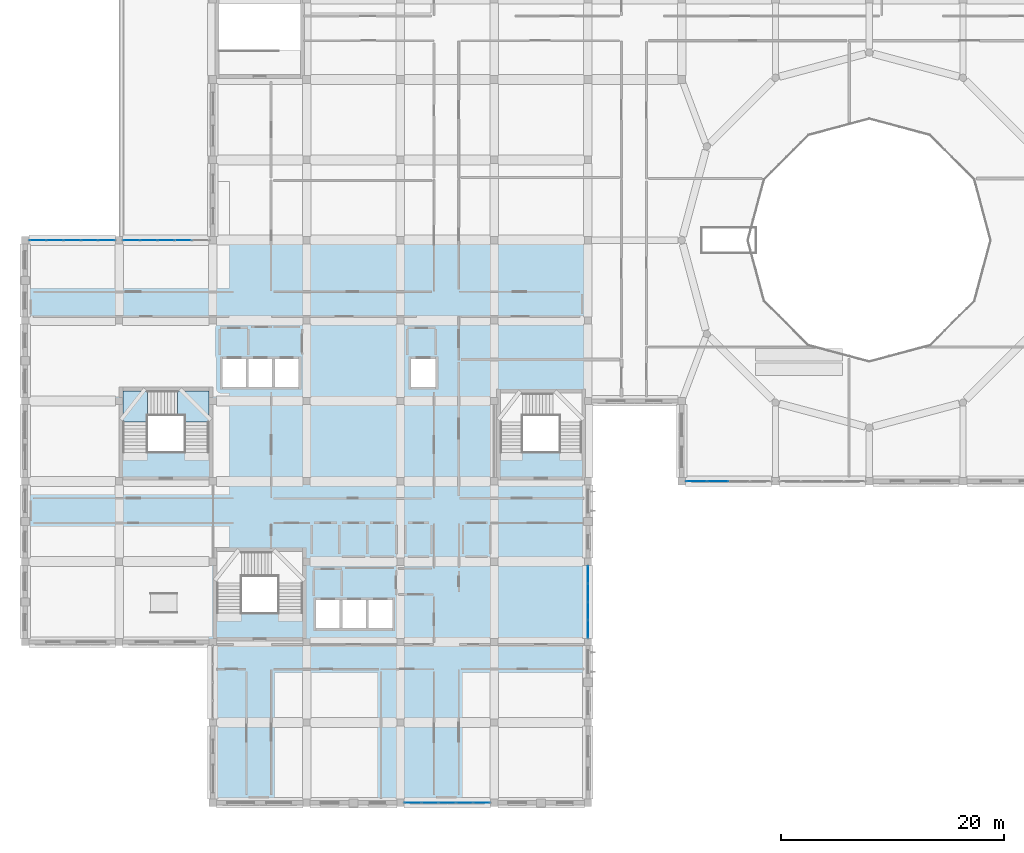
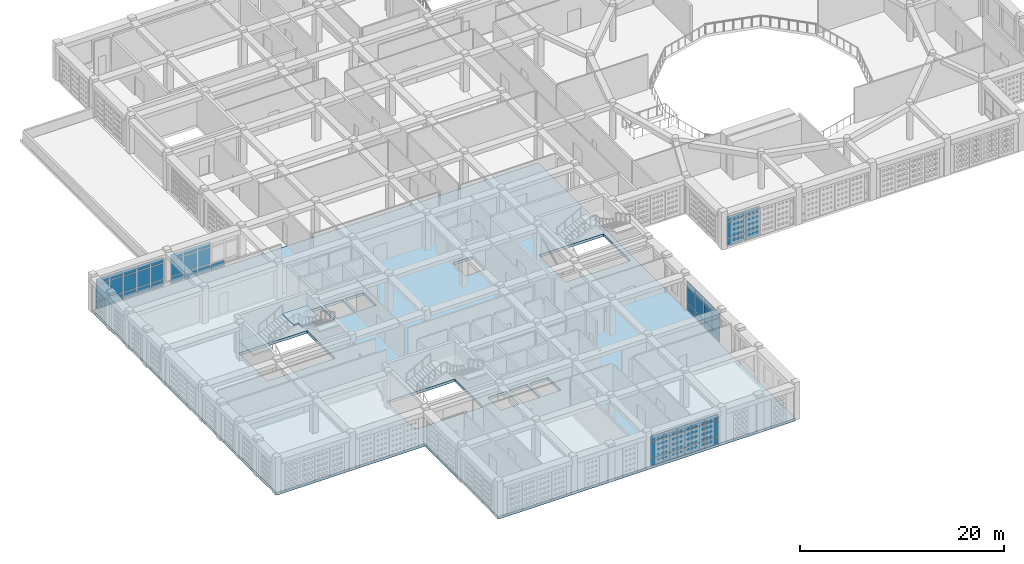
# One storey, part 31 of 79: 58 plates, 3 slabs, 6 elements without a shape of their own.
"""IFC4 building model written with IfcOpenShell, lengths in metres."""

import ifcopenshell
import ifcopenshell.guid

model = None  # the IFC model being written
_history = None  # IfcOwnerHistory: only IFC2X3 demands one
_inside = {}  # id of a spatial element -> (the spatial element, [elements in it])
_under = {}  # id of a project, library or spatial element -> (it, [spatial elements below it])
_declared = {}  # id of a project -> (the project, [libraries it declares])
_typed = {}  # id of a type object -> (the type object, [elements of that type])
_made_of = {}  # id of a material, layer set ... -> (it, [elements and type objects made of it])


def new_model(schema):
    """Start an empty IFC model of exactly this schema.

    Asked for "IFC4X3", IfcOpenShell would pick the latest addendum, in which some entities
    have other attributes; the version numbers below select the first issue.
    IFC2X3 requires an IfcOwnerHistory on every rooted entity: one is made here for all.
    """
    global model, _history
    if schema == "IFC4X3":
        model = ifcopenshell.file(schema_version=(4, 3, 0, 0))
    else:
        model = ifcopenshell.file(schema=schema)
    _inside.clear()
    _under.clear()
    _declared.clear()
    _typed.clear()
    _made_of.clear()
    _history = None
    if model.schema == "IFC2X3":
        org = make("IfcOrganization", Name="unknown")
        user = make(
            "IfcPersonAndOrganization",
            ThePerson=make("IfcPerson", FamilyName="unknown"),
            TheOrganization=org,
        )
        app = make(
            "IfcApplication",
            ApplicationDeveloper=org,
            Version="unknown",
            ApplicationFullName="unknown",
            ApplicationIdentifier="unknown",
        )
        _history = make(
            "IfcOwnerHistory",
            OwningUser=user,
            OwningApplication=app,
            ChangeAction="ADDED",
            CreationDate=0,
        )
    return model


def make(cls, **values):
    """One entity of the class cls with the attributes given. An attribute that is None is left unset."""
    return model.create_entity(
        cls, **{name: value for name, value in values.items() if value is not None}
    )


def rooted(cls, **values):
    """An entity with a GlobalId (a new one), such as an element, a storey or a relation."""
    return make(cls, GlobalId=ifcopenshell.guid.new(), OwnerHistory=_history, **values)


def si_unit(unit_type, name, prefix=None):
    """IfcSIUnit, for example si_unit("LENGTHUNIT", "METRE", prefix="MILLI")."""
    return make("IfcSIUnit", UnitType=unit_type, Prefix=prefix, Name=name)


def derived_unit(unit_type, elements):
    """IfcDerivedUnit: a product of units, each with its exponent."""
    return make(
        "IfcDerivedUnit",
        Elements=[
            make("IfcDerivedUnitElement", Unit=unit, Exponent=power)
            for unit, power in elements
        ],
        UnitType=unit_type,
    )


def assignment(units):
    """IfcUnitAssignment: the units of a project."""
    return None if units is None else make("IfcUnitAssignment", Units=units)


def point(xyz):
    """IfcCartesianPoint."""
    return None if xyz is None else make("IfcCartesianPoint", Coordinates=xyz)


def direction(xyz):
    """IfcDirection."""
    return None if xyz is None else make("IfcDirection", DirectionRatios=xyz)


def frame(location, z_axis=None, x_axis=None):
    """IfcAxis2Placement3D, a coordinate frame: its origin and axes. An axis left out is left unset."""
    return make(
        "IfcAxis2Placement3D",
        Location=point(location),
        Axis=direction(z_axis),
        RefDirection=direction(x_axis),
    )


def frame_2d(location, x_axis=None):
    """IfcAxis2Placement2D, a coordinate frame in the plane: its origin and x axis."""
    return make(
        "IfcAxis2Placement2D", Location=point(location), RefDirection=direction(x_axis)
    )


def origin():
    """The frame at (0, 0, 0) with its axes left unset."""
    return frame((0.0, 0.0, 0.0))


def origin_2d():
    """The frame at (0, 0) in the plane with its x axis left unset."""
    return frame_2d((0.0, 0.0))


def place(relative_to, where):
    """IfcLocalPlacement: puts the frame where relative to a parent placement (None: the world)."""
    return make(
        "IfcLocalPlacement", PlacementRelTo=relative_to, RelativePlacement=where
    )


def context(
    kind, dimensions, precision=None, world=None, true_north=None, identifier=None
):
    """IfcGeometricRepresentationContext, for example the 3D "Model" context."""
    return make(
        "IfcGeometricRepresentationContext",
        ContextIdentifier=identifier,
        ContextType=kind,
        CoordinateSpaceDimension=dimensions,
        Precision=precision,
        WorldCoordinateSystem=world,
        TrueNorth=true_north,
    )


def subcontext(parent, identifier, kind, view, scale=None):
    """IfcGeometricRepresentationSubContext, for example "Body" below "Model"."""
    return make(
        "IfcGeometricRepresentationSubContext",
        ContextIdentifier=identifier,
        ContextType=kind,
        ParentContext=parent,
        TargetScale=scale,
        TargetView=view,
    )


def project(units=None, contexts=None):
    """IfcProject with its units and contexts."""
    return rooted(
        "IfcProject",
        Name="project",
        RepresentationContexts=contexts,
        UnitsInContext=assignment(units),
    )


def spatial(cls, under=None, at=None, **own):
    """A site, building, storey or space (cls), placed at a placement, below another one or the project."""
    s = rooted(cls, ObjectPlacement=at, **own)
    if under is not None:
        _under.setdefault(under.id(), (under, []))[1].append(s)
    return s


def polyline(points):
    """IfcPolyline through the points."""
    return make("IfcPolyline", Points=[point(p) for p in points])


def profile(cls, at=None, kind="AREA", **sizes):
    """A parametric profile (cls). Its sizes go by their IFC names, for example OverallWidth=200.0."""
    return make(cls, ProfileType=kind, Position=at, **sizes)


def rectangle(**sizes):
    """IfcRectangleProfileDef."""
    return profile("IfcRectangleProfileDef", **sizes)


def outline(outer, holes=None, kind="AREA"):
    """IfcArbitraryClosedProfileDef: a profile drawn as a closed curve; with holes, ...WithVoids."""
    if holes is None:
        return make("IfcArbitraryClosedProfileDef", ProfileType=kind, OuterCurve=outer)
    return make(
        "IfcArbitraryProfileDefWithVoids",
        ProfileType=kind,
        OuterCurve=outer,
        InnerCurves=holes,
    )


def extrude(swept, where, along, depth):
    """IfcExtrudedAreaSolid: the profile swept, set in the frame where, extruded along a direction by depth."""
    return make(
        "IfcExtrudedAreaSolid",
        SweptArea=swept,
        Position=where,
        ExtrudedDirection=direction(along),
        Depth=depth,
    )


def shape(context_of_items, identifier, shape_type, items):
    """IfcShapeRepresentation: the items that make up one representation, for example the "Body"."""
    return make(
        "IfcShapeRepresentation",
        ContextOfItems=context_of_items,
        RepresentationIdentifier=identifier,
        RepresentationType=shape_type,
        Items=items,
    )


def material(Name=None, Category=None):
    """IfcMaterial."""
    return make("IfcMaterial", Name=Name, Category=Category)


def layer(
    of_material, thickness, ventilated=None, Name=None, Category=None, Priority=None
):
    """IfcMaterialLayer: one layer of a wall or slab, of a material (None: an air gap)."""
    return make(
        "IfcMaterialLayer",
        Material=of_material,
        LayerThickness=thickness,
        IsVentilated=ventilated,
        Name=Name,
        Category=Category,
        Priority=Priority,
    )


def layer_set(layers, Name=None):
    """IfcMaterialLayerSet."""
    return make("IfcMaterialLayerSet", MaterialLayers=layers, LayerSetName=Name)


def made_of(thing, what):
    """Note that an element or type object is made of a material, layer set ...; save() writes the relation."""
    if what is not None:
        _made_of.setdefault(what.id(), (what, []))[1].append(thing)
    return thing


def type_object(cls, material=None, **own):
    """A type object (cls), such as IfcWallType, which elements share."""
    return made_of(rooted(cls, **own), material)


def element(
    cls,
    number,
    at=None,
    inside=None,
    cuts=None,
    type_object=None,
    material=None,
    context=None,
    identifier="Body",
    shape_type=None,
    held_by="IfcProductDefinitionShape",
    body=None,
    shapes=None,
    **own,
):
    """One element of the class cls, such as IfcWall. Its Tag is "e" and its number.

    at: its placement. inside: the storey or other place that contains it. cuts: it is an
    opening in that element (IfcRelVoidsElement). A single representation is given by context,
    identifier, shape_type and body (its items); several are given by shapes. held_by: the class
    of the entity that holds the representations. save() writes the other relations.
    """
    e = rooted(cls, Tag="e%d" % number, ObjectPlacement=at, **own)
    if body is not None:
        shapes = [shape(context, identifier, shape_type, body)]
    if shapes is not None:
        e.Representation = make(held_by, Representations=shapes)
    if inside is not None:
        _inside.setdefault(inside.id(), (inside, []))[1].append(e)
    if cuts is not None:
        rooted(
            "IfcRelVoidsElement", RelatingBuildingElement=cuts, RelatedOpeningElement=e
        )
    if type_object is not None:
        _typed.setdefault(type_object.id(), (type_object, []))[1].append(e)
    return made_of(e, material)


def aggregate(whole, parts):
    """IfcRelAggregates: a whole, such as a stair, and the parts it consists of."""
    return rooted("IfcRelAggregates", RelatingObject=whole, RelatedObjects=parts)


def save(model, path):
    """Write the relations noted so far, then the file.

    IfcRelAggregates (storeys below a building ...), IfcRelContainedInSpatialStructure (elements
    in a storey), IfcRelDefinesByType, IfcRelAssociatesMaterial and IfcRelDeclares: one each for
    every whole, place, type object, material and project.
    """
    for whole, parts in _under.values():
        aggregate(whole, parts)
    for where, things in _inside.values():
        rooted(
            "IfcRelContainedInSpatialStructure",
            RelatedElements=things,
            RelatingStructure=where,
        )
    for kind, things in _typed.values():
        rooted("IfcRelDefinesByType", RelatedObjects=things, RelatingType=kind)
    for what, things in _made_of.values():
        rooted("IfcRelAssociatesMaterial", RelatedObjects=things, RelatingMaterial=what)
    for by, libraries in _declared.values():
        rooted("IfcRelDeclares", RelatingContext=by, RelatedDefinitions=libraries)
    model.write(path)


model = new_model("IFC4")

# Units and contexts
model_context = context("Model", 3, precision=1e-05, world=origin(), true_north=direction((0.0, 1.0)))
body_context = subcontext(model_context, "Body", "Model", "MODEL_VIEW")
ifc_project = project(units=[si_unit("LENGTHUNIT", "METRE"), si_unit("AREAUNIT", "SQUARE_METRE"), si_unit("VOLUMEUNIT", "CUBIC_METRE"), si_unit("PLANEANGLEUNIT", "RADIAN"), si_unit("MASSUNIT", "GRAM", prefix="KILO"), derived_unit("THERMALTRANSMITTANCEUNIT", [(si_unit("POWERUNIT", "WATT"), 1), (si_unit("LENGTHUNIT", "METRE"), -2), (si_unit("THERMODYNAMICTEMPERATUREUNIT", "KELVIN"), -1)])], contexts=[model_context])

# Site, building, storey
site_placement = place(None, origin())
site = spatial("IfcSite", under=ifc_project, at=site_placement, CompositionType="ELEMENT")
building_placement = place(site_placement, origin())
building = spatial("IfcBuilding", under=site, at=building_placement, Name="Veybourne Emporium", CompositionType="ELEMENT")
storey_placement = place(building_placement, frame((0.0, 0.0, 18.89990234375)))
storey = spatial("IfcBuildingStorey", under=building, at=storey_placement, Name="L04", CompositionType="ELEMENT", Elevation=18.89990234375)

# Curtain wall, plates
ifc_material_1 = material(Name="Patinated Architectural Bronze", Category="bronze")
curtain_wall_type_1 = type_object("IfcCurtainWallType", Name="CWSystem_CWS-24", PredefinedType="NOTDEFINED", material=ifc_material_1)
curtain_wall_1_placement = place(storey_placement, origin())
curtain_wall_1 = element("IfcCurtainWall", 1, at=curtain_wall_1_placement, inside=storey, type_object=curtain_wall_type_1, Name="L04 bronze glazed curtain wall CWS-24 (006)", PredefinedType="NOTDEFINED")
ifc_material_2 = material(Name="Low-E Triple Glazing", Category="glass")
ifc_layer_1 = layer(ifc_material_2, 0.028076171875)
ifc_layer_set_1 = layer_set([ifc_layer_1], Name="Low-E Triple Glazing")
plate_type = type_object("IfcPlateType", Name="CWPanel_CW-P1", PredefinedType="CURTAIN_PANEL", material=ifc_layer_set_1)
plate_1_placement = place(storey_placement, frame((1.117431640625, 50.39990234375, 0.070068359375), z_axis=(0.0, 0.0, 1.0), x_axis=(1.0, 0.0, 0.0)))
plate_1 = element("IfcPlate", 2, at=plate_1_placement, type_object=plate_type, Name="CWS-24 panel 1.1", PredefinedType="CURTAIN_PANEL", context=body_context, shape_type="SweptSolid", body=[
    extrude(rectangle(XDim=1.445068359375, YDim=0.028076171875, at=origin_2d()), origin(), (0.0, 0.0, 1.0), 0.794921875),
])
plate_2_placement = place(storey_placement, frame((1.117431640625, 50.39990234375, 0.93505859375), z_axis=(0.0, 0.0, 1.0), x_axis=(1.0, 0.0, 0.0)))
plate_2 = element("IfcPlate", 3, at=plate_2_placement, type_object=plate_type, Name="CWS-24 panel 1.2", PredefinedType="CURTAIN_PANEL", context=body_context, shape_type="SweptSolid", body=[
    extrude(rectangle(XDim=1.445068359375, YDim=0.028076171875, at=origin_2d()), origin(), (0.0, 0.0, 1.0), 1.909912109375),
])
plate_3_placement = place(storey_placement, frame((1.117431640625, 50.39990234375, 2.9150390625), z_axis=(0.0, 0.0, 1.0), x_axis=(1.0, 0.0, 0.0)))
plate_3 = element("IfcPlate", 4, at=plate_3_placement, type_object=plate_type, Name="CWS-24 panel 1.3", PredefinedType="CURTAIN_PANEL", context=body_context, shape_type="SweptSolid", body=[
    extrude(rectangle(XDim=1.445068359375, YDim=0.028076171875, at=origin_2d()), origin(), (0.0, 0.0, 1.0), 0.64501953125),
])
plate_4_placement = place(storey_placement, frame((2.64990234375, 50.39990234375, 0.070068359375), z_axis=(0.0, 0.0, 1.0), x_axis=(1.0, 0.0, 0.0)))
plate_4 = element("IfcPlate", 5, at=plate_4_placement, type_object=plate_type, Name="CWS-24 panel 2.1", PredefinedType="CURTAIN_PANEL", context=body_context, shape_type="SweptSolid", body=[
    extrude(rectangle(XDim=1.47998046875, YDim=0.028076171875, at=origin_2d()), origin(), (0.0, 0.0, 1.0), 0.794921875),
])
plate_5_placement = place(storey_placement, frame((2.64990234375, 50.39990234375, 0.93505859375), z_axis=(0.0, 0.0, 1.0), x_axis=(1.0, 0.0, 0.0)))
plate_5 = element("IfcPlate", 6, at=plate_5_placement, type_object=plate_type, Name="CWS-24 panel 2.2", PredefinedType="CURTAIN_PANEL", context=body_context, shape_type="SweptSolid", body=[
    extrude(rectangle(XDim=1.47998046875, YDim=0.028076171875, at=origin_2d()), origin(), (0.0, 0.0, 1.0), 1.909912109375),
])
plate_6_placement = place(storey_placement, frame((2.64990234375, 50.39990234375, 2.9150390625), z_axis=(0.0, 0.0, 1.0), x_axis=(1.0, 0.0, 0.0)))
plate_6 = element("IfcPlate", 7, at=plate_6_placement, type_object=plate_type, Name="CWS-24 panel 2.3", PredefinedType="CURTAIN_PANEL", context=body_context, shape_type="SweptSolid", body=[
    extrude(rectangle(XDim=1.47998046875, YDim=0.028076171875, at=origin_2d()), origin(), (0.0, 0.0, 1.0), 0.64501953125),
])
plate_7_placement = place(storey_placement, frame((4.199951171875, 50.39990234375, 0.070068359375), z_axis=(0.0, 0.0, 1.0), x_axis=(1.0, 0.0, 0.0)))
plate_7 = element("IfcPlate", 8, at=plate_7_placement, type_object=plate_type, Name="CWS-24 panel 3.1", PredefinedType="CURTAIN_PANEL", context=body_context, shape_type="SweptSolid", body=[
    extrude(rectangle(XDim=1.47998046875, YDim=0.028076171875, at=origin_2d()), origin(), (0.0, 0.0, 1.0), 0.794921875),
])
plate_8_placement = place(storey_placement, frame((4.199951171875, 50.39990234375, 0.93505859375), z_axis=(0.0, 0.0, 1.0), x_axis=(1.0, 0.0, 0.0)))
plate_8 = element("IfcPlate", 9, at=plate_8_placement, type_object=plate_type, Name="CWS-24 panel 3.2", PredefinedType="CURTAIN_PANEL", context=body_context, shape_type="SweptSolid", body=[
    extrude(rectangle(XDim=1.47998046875, YDim=0.028076171875, at=origin_2d()), origin(), (0.0, 0.0, 1.0), 1.909912109375),
])
plate_9_placement = place(storey_placement, frame((4.199951171875, 50.39990234375, 2.9150390625), z_axis=(0.0, 0.0, 1.0), x_axis=(1.0, 0.0, 0.0)))
plate_9 = element("IfcPlate", 10, at=plate_9_placement, type_object=plate_type, Name="CWS-24 panel 3.3", PredefinedType="CURTAIN_PANEL", context=body_context, shape_type="SweptSolid", body=[
    extrude(rectangle(XDim=1.47998046875, YDim=0.028076171875, at=origin_2d()), origin(), (0.0, 0.0, 1.0), 0.64501953125),
])
plate_10_placement = place(storey_placement, frame((5.75, 50.39990234375, 0.070068359375), z_axis=(0.0, 0.0, 1.0), x_axis=(1.0, 0.0, 0.0)))
plate_10 = element("IfcPlate", 11, at=plate_10_placement, type_object=plate_type, Name="CWS-24 panel 4.1", PredefinedType="CURTAIN_PANEL", context=body_context, shape_type="SweptSolid", body=[
    extrude(rectangle(XDim=1.47998046875, YDim=0.028076171875, at=origin_2d()), origin(), (0.0, 0.0, 1.0), 0.794921875),
])
plate_11_placement = place(storey_placement, frame((5.75, 50.39990234375, 0.93505859375), z_axis=(0.0, 0.0, 1.0), x_axis=(1.0, 0.0, 0.0)))
plate_11 = element("IfcPlate", 12, at=plate_11_placement, type_object=plate_type, Name="CWS-24 panel 4.2", PredefinedType="CURTAIN_PANEL", context=body_context, shape_type="SweptSolid", body=[
    extrude(rectangle(XDim=1.47998046875, YDim=0.028076171875, at=origin_2d()), origin(), (0.0, 0.0, 1.0), 1.909912109375),
])
plate_12_placement = place(storey_placement, frame((5.75, 50.39990234375, 2.9150390625), z_axis=(0.0, 0.0, 1.0), x_axis=(1.0, 0.0, 0.0)))
plate_12 = element("IfcPlate", 13, at=plate_12_placement, type_object=plate_type, Name="CWS-24 panel 4.3", PredefinedType="CURTAIN_PANEL", context=body_context, shape_type="SweptSolid", body=[
    extrude(rectangle(XDim=1.47998046875, YDim=0.028076171875, at=origin_2d()), origin(), (0.0, 0.0, 1.0), 0.64501953125),
])
plate_13_placement = place(storey_placement, frame((7.282470703125, 50.39990234375, 0.070068359375), z_axis=(0.0, 0.0, 1.0), x_axis=(1.0, 0.0, 0.0)))
plate_13 = element("IfcPlate", 14, at=plate_13_placement, type_object=plate_type, Name="CWS-24 panel 5.1", PredefinedType="CURTAIN_PANEL", context=body_context, shape_type="SweptSolid", body=[
    extrude(rectangle(XDim=1.445068359375, YDim=0.028076171875, at=origin_2d()), origin(), (0.0, 0.0, 1.0), 0.794921875),
])
plate_14_placement = place(storey_placement, frame((7.282470703125, 50.39990234375, 0.93505859375), z_axis=(0.0, 0.0, 1.0), x_axis=(1.0, 0.0, 0.0)))
plate_14 = element("IfcPlate", 15, at=plate_14_placement, type_object=plate_type, Name="CWS-24 panel 5.2", PredefinedType="CURTAIN_PANEL", context=body_context, shape_type="SweptSolid", body=[
    extrude(rectangle(XDim=1.445068359375, YDim=0.028076171875, at=origin_2d()), origin(), (0.0, 0.0, 1.0), 1.909912109375),
])
plate_15_placement = place(storey_placement, frame((7.282470703125, 50.39990234375, 2.9150390625), z_axis=(0.0, 0.0, 1.0), x_axis=(1.0, 0.0, 0.0)))
plate_15 = element("IfcPlate", 16, at=plate_15_placement, type_object=plate_type, Name="CWS-24 panel 5.3", PredefinedType="CURTAIN_PANEL", context=body_context, shape_type="SweptSolid", body=[
    extrude(rectangle(XDim=1.445068359375, YDim=0.028076171875, at=origin_2d()), origin(), (0.0, 0.0, 1.0), 0.64501953125),
])
aggregate(curtain_wall_1, [plate_1, plate_2, plate_3, plate_4, plate_5, plate_6, plate_7, plate_8, plate_9, plate_10, plate_11, plate_12, plate_13, plate_14, plate_15])

curtain_wall_type_2 = type_object("IfcCurtainWallType", Name="CWSystem_CWS-25", PredefinedType="NOTDEFINED", material=ifc_material_1)
curtain_wall_2_placement = place(storey_placement, origin())
curtain_wall_2 = element("IfcCurtainWall", 17, at=curtain_wall_2_placement, inside=storey, type_object=curtain_wall_type_2, Name="L04 bronze glazed curtain wall CWS-25 (009)", PredefinedType="NOTDEFINED")
plate_16_placement = place(storey_placement, frame((9.51806640625, 50.39990234375, 0.072021484375), z_axis=(0.0, 0.0, 1.0), x_axis=(1.0, 0.0, 0.0)))
plate_16 = element("IfcPlate", 18, at=plate_16_placement, type_object=plate_type, Name="CWS-25 panel 1.1", PredefinedType="CURTAIN_PANEL", context=body_context, shape_type="SweptSolid", body=[
    extrude(rectangle(XDim=1.44189453125, YDim=0.028076171875, at=origin_2d()), origin(), (0.0, 0.0, 1.0), 0.7919921875),
])
plate_17_placement = place(storey_placement, frame((9.51806640625, 50.39990234375, 0.93603515625), z_axis=(0.0, 0.0, 1.0), x_axis=(1.0, 0.0, 0.0)))
plate_17 = element("IfcPlate", 19, at=plate_17_placement, type_object=plate_type, Name="CWS-25 panel 1.2", PredefinedType="CURTAIN_PANEL", context=body_context, shape_type="SweptSolid", body=[
    extrude(rectangle(XDim=1.44189453125, YDim=0.028076171875, at=origin_2d()), origin(), (0.0, 0.0, 1.0), 1.907958984375),
])
plate_18_placement = place(storey_placement, frame((9.51806640625, 50.39990234375, 2.916015625), z_axis=(0.0, 0.0, 1.0), x_axis=(1.0, 0.0, 0.0)))
plate_18 = element("IfcPlate", 20, at=plate_18_placement, type_object=plate_type, Name="CWS-25 panel 1.3", PredefinedType="CURTAIN_PANEL", context=body_context, shape_type="SweptSolid", body=[
    extrude(rectangle(XDim=1.44189453125, YDim=0.028076171875, at=origin_2d()), origin(), (0.0, 0.0, 1.0), 0.64208984375),
])
plate_19_placement = place(storey_placement, frame((11.050048828125, 50.39990234375, 0.072021484375), z_axis=(0.0, 0.0, 1.0), x_axis=(1.0, 0.0, 0.0)))
plate_19 = element("IfcPlate", 21, at=plate_19_placement, type_object=plate_type, Name="CWS-25 panel 2.1", PredefinedType="CURTAIN_PANEL", context=body_context, shape_type="SweptSolid", body=[
    extrude(rectangle(XDim=1.47802734375, YDim=0.028076171875, at=origin_2d()), origin(), (0.0, 0.0, 1.0), 0.7919921875),
])
plate_20_placement = place(storey_placement, frame((11.050048828125, 50.39990234375, 0.93603515625), z_axis=(0.0, 0.0, 1.0), x_axis=(1.0, 0.0, 0.0)))
plate_20 = element("IfcPlate", 22, at=plate_20_placement, type_object=plate_type, Name="CWS-25 panel 2.2", PredefinedType="CURTAIN_PANEL", context=body_context, shape_type="SweptSolid", body=[
    extrude(rectangle(XDim=1.47802734375, YDim=0.028076171875, at=origin_2d()), origin(), (0.0, 0.0, 1.0), 1.907958984375),
])
plate_21_placement = place(storey_placement, frame((11.050048828125, 50.39990234375, 2.916015625), z_axis=(0.0, 0.0, 1.0), x_axis=(1.0, 0.0, 0.0)))
plate_21 = element("IfcPlate", 23, at=plate_21_placement, type_object=plate_type, Name="CWS-25 panel 2.3", PredefinedType="CURTAIN_PANEL", context=body_context, shape_type="SweptSolid", body=[
    extrude(rectangle(XDim=1.47802734375, YDim=0.028076171875, at=origin_2d()), origin(), (0.0, 0.0, 1.0), 0.64208984375),
])
plate_22_placement = place(storey_placement, frame((12.60009765625, 50.39990234375, 0.072021484375), z_axis=(0.0, 0.0, 1.0), x_axis=(1.0, 0.0, 0.0)))
plate_22 = element("IfcPlate", 24, at=plate_22_placement, type_object=plate_type, Name="CWS-25 panel 3.1", PredefinedType="CURTAIN_PANEL", context=body_context, shape_type="SweptSolid", body=[
    extrude(rectangle(XDim=1.47802734375, YDim=0.028076171875, at=origin_2d()), origin(), (0.0, 0.0, 1.0), 0.7919921875),
])
plate_23_placement = place(storey_placement, frame((12.60009765625, 50.39990234375, 0.93603515625), z_axis=(0.0, 0.0, 1.0), x_axis=(1.0, 0.0, 0.0)))
plate_23 = element("IfcPlate", 25, at=plate_23_placement, type_object=plate_type, Name="CWS-25 panel 3.2", PredefinedType="CURTAIN_PANEL", context=body_context, shape_type="SweptSolid", body=[
    extrude(rectangle(XDim=1.47802734375, YDim=0.028076171875, at=origin_2d()), origin(), (0.0, 0.0, 1.0), 1.907958984375),
])
plate_24_placement = place(storey_placement, frame((12.60009765625, 50.39990234375, 2.916015625), z_axis=(0.0, 0.0, 1.0), x_axis=(1.0, 0.0, 0.0)))
plate_24 = element("IfcPlate", 26, at=plate_24_placement, type_object=plate_type, Name="CWS-25 panel 3.3", PredefinedType="CURTAIN_PANEL", context=body_context, shape_type="SweptSolid", body=[
    extrude(rectangle(XDim=1.47802734375, YDim=0.028076171875, at=origin_2d()), origin(), (0.0, 0.0, 1.0), 0.64208984375),
])
plate_25_placement = place(storey_placement, frame((14.14990234375, 50.39990234375, 0.072021484375), z_axis=(0.0, 0.0, 1.0), x_axis=(1.0, 0.0, 0.0)))
plate_25 = element("IfcPlate", 27, at=plate_25_placement, type_object=plate_type, Name="CWS-25 panel 4.1", PredefinedType="CURTAIN_PANEL", context=body_context, shape_type="SweptSolid", body=[
    extrude(rectangle(XDim=1.47802734375, YDim=0.028076171875, at=origin_2d()), origin(), (0.0, 0.0, 1.0), 0.7919921875),
])
aggregate(curtain_wall_2, [plate_16, plate_17, plate_18, plate_19, plate_20, plate_21, plate_22, plate_23, plate_24, plate_25])

curtain_wall_type_3 = type_object("IfcCurtainWallType", Name="CWSystem_CWS-28", PredefinedType="NOTDEFINED", material=ifc_material_1)
curtain_wall_3_placement = place(storey_placement, origin())
curtain_wall_3 = element("IfcCurtainWall", 28, at=curtain_wall_3_placement, inside=storey, type_object=curtain_wall_type_3, Name="L04 bronze glazed curtain wall CWS-28 (021)", PredefinedType="NOTDEFINED")
plate_26_placement = place(storey_placement, frame((40.882568359375, 0.0, 0.070068359375), z_axis=(0.0, 0.0, 1.0), x_axis=(-1.0, 0.0, 0.0)))
plate_26 = element("IfcPlate", 29, at=plate_26_placement, type_object=plate_type, Name="CWS-28 panel 1.1", PredefinedType="CURTAIN_PANEL", context=body_context, shape_type="SweptSolid", body=[
    extrude(rectangle(XDim=1.445068359375, YDim=0.028076171875, at=origin_2d()), origin(), (0.0, 0.0, 1.0), 0.794921875),
])
plate_27_placement = place(storey_placement, frame((40.882568359375, 0.0, 0.93505859375), z_axis=(0.0, 0.0, 1.0), x_axis=(-1.0, 0.0, 0.0)))
plate_27 = element("IfcPlate", 30, at=plate_27_placement, type_object=plate_type, Name="CWS-28 panel 1.2", PredefinedType="CURTAIN_PANEL", context=body_context, shape_type="SweptSolid", body=[
    extrude(rectangle(XDim=1.445068359375, YDim=0.028076171875, at=origin_2d()), origin(), (0.0, 0.0, 1.0), 1.909912109375),
])
plate_28_placement = place(storey_placement, frame((40.882568359375, 0.0, 2.9150390625), z_axis=(0.0, 0.0, 1.0), x_axis=(-1.0, 0.0, 0.0)))
plate_28 = element("IfcPlate", 31, at=plate_28_placement, type_object=plate_type, Name="CWS-28 panel 1.3", PredefinedType="CURTAIN_PANEL", context=body_context, shape_type="SweptSolid", body=[
    extrude(rectangle(XDim=1.445068359375, YDim=0.028076171875, at=origin_2d()), origin(), (0.0, 0.0, 1.0), 0.64501953125),
])
plate_29_placement = place(storey_placement, frame((39.35009765625, 0.0, 0.070068359375), z_axis=(0.0, 0.0, 1.0), x_axis=(-1.0, 0.0, 0.0)))
plate_29 = element("IfcPlate", 32, at=plate_29_placement, type_object=plate_type, Name="CWS-28 panel 2.1", PredefinedType="CURTAIN_PANEL", context=body_context, shape_type="SweptSolid", body=[
    extrude(rectangle(XDim=1.47998046875, YDim=0.028076171875, at=origin_2d()), origin(), (0.0, 0.0, 1.0), 0.794921875),
])
plate_30_placement = place(storey_placement, frame((39.35009765625, 0.0, 0.93505859375), z_axis=(0.0, 0.0, 1.0), x_axis=(-1.0, 0.0, 0.0)))
plate_30 = element("IfcPlate", 33, at=plate_30_placement, type_object=plate_type, Name="CWS-28 panel 2.2", PredefinedType="CURTAIN_PANEL", context=body_context, shape_type="SweptSolid", body=[
    extrude(rectangle(XDim=1.47998046875, YDim=0.028076171875, at=origin_2d()), origin(), (0.0, 0.0, 1.0), 1.909912109375),
])
plate_31_placement = place(storey_placement, frame((39.35009765625, 0.0, 2.9150390625), z_axis=(0.0, 0.0, 1.0), x_axis=(-1.0, 0.0, 0.0)))
plate_31 = element("IfcPlate", 34, at=plate_31_placement, type_object=plate_type, Name="CWS-28 panel 2.3", PredefinedType="CURTAIN_PANEL", context=body_context, shape_type="SweptSolid", body=[
    extrude(rectangle(XDim=1.47998046875, YDim=0.028076171875, at=origin_2d()), origin(), (0.0, 0.0, 1.0), 0.64501953125),
])
plate_32_placement = place(storey_placement, frame((37.800048828125, 0.0, 0.070068359375), z_axis=(0.0, 0.0, 1.0), x_axis=(-1.0, 0.0, 0.0)))
plate_32 = element("IfcPlate", 35, at=plate_32_placement, type_object=plate_type, Name="CWS-28 panel 3.1", PredefinedType="CURTAIN_PANEL", context=body_context, shape_type="SweptSolid", body=[
    extrude(rectangle(XDim=1.47998046875, YDim=0.028076171875, at=origin_2d()), origin(), (0.0, 0.0, 1.0), 0.794921875),
])
plate_33_placement = place(storey_placement, frame((37.800048828125, 0.0, 0.93505859375), z_axis=(0.0, 0.0, 1.0), x_axis=(-1.0, 0.0, 0.0)))
plate_33 = element("IfcPlate", 36, at=plate_33_placement, type_object=plate_type, Name="CWS-28 panel 3.2", PredefinedType="CURTAIN_PANEL", context=body_context, shape_type="SweptSolid", body=[
    extrude(rectangle(XDim=1.47998046875, YDim=0.028076171875, at=origin_2d()), origin(), (0.0, 0.0, 1.0), 1.909912109375),
])
plate_34_placement = place(storey_placement, frame((37.800048828125, 0.0, 2.9150390625), z_axis=(0.0, 0.0, 1.0), x_axis=(-1.0, 0.0, 0.0)))
plate_34 = element("IfcPlate", 37, at=plate_34_placement, type_object=plate_type, Name="CWS-28 panel 3.3", PredefinedType="CURTAIN_PANEL", context=body_context, shape_type="SweptSolid", body=[
    extrude(rectangle(XDim=1.47998046875, YDim=0.028076171875, at=origin_2d()), origin(), (0.0, 0.0, 1.0), 0.64501953125),
])
plate_35_placement = place(storey_placement, frame((36.25, 0.0, 0.070068359375), z_axis=(0.0, 0.0, 1.0), x_axis=(-1.0, 0.0, 0.0)))
plate_35 = element("IfcPlate", 38, at=plate_35_placement, type_object=plate_type, Name="CWS-28 panel 4.1", PredefinedType="CURTAIN_PANEL", context=body_context, shape_type="SweptSolid", body=[
    extrude(rectangle(XDim=1.47998046875, YDim=0.028076171875, at=origin_2d()), origin(), (0.0, 0.0, 1.0), 0.794921875),
])
plate_36_placement = place(storey_placement, frame((36.25, 0.0, 0.93505859375), z_axis=(0.0, 0.0, 1.0), x_axis=(-1.0, 0.0, 0.0)))
plate_36 = element("IfcPlate", 39, at=plate_36_placement, type_object=plate_type, Name="CWS-28 panel 4.2", PredefinedType="CURTAIN_PANEL", context=body_context, shape_type="SweptSolid", body=[
    extrude(rectangle(XDim=1.47998046875, YDim=0.028076171875, at=origin_2d()), origin(), (0.0, 0.0, 1.0), 1.909912109375),
])
plate_37_placement = place(storey_placement, frame((36.25, 0.0, 2.9150390625), z_axis=(0.0, 0.0, 1.0), x_axis=(-1.0, 0.0, 0.0)))
plate_37 = element("IfcPlate", 40, at=plate_37_placement, type_object=plate_type, Name="CWS-28 panel 4.3", PredefinedType="CURTAIN_PANEL", context=body_context, shape_type="SweptSolid", body=[
    extrude(rectangle(XDim=1.47998046875, YDim=0.028076171875, at=origin_2d()), origin(), (0.0, 0.0, 1.0), 0.64501953125),
])
plate_38_placement = place(storey_placement, frame((34.717529296875, 0.0, 0.070068359375), z_axis=(0.0, 0.0, 1.0), x_axis=(-1.0, 0.0, 0.0)))
plate_38 = element("IfcPlate", 41, at=plate_38_placement, type_object=plate_type, Name="CWS-28 panel 5.1", PredefinedType="CURTAIN_PANEL", context=body_context, shape_type="SweptSolid", body=[
    extrude(rectangle(XDim=1.445068359375, YDim=0.028076171875, at=origin_2d()), origin(), (0.0, 0.0, 1.0), 0.794921875),
])
plate_39_placement = place(storey_placement, frame((34.717529296875, 0.0, 0.93505859375), z_axis=(0.0, 0.0, 1.0), x_axis=(-1.0, 0.0, 0.0)))
plate_39 = element("IfcPlate", 42, at=plate_39_placement, type_object=plate_type, Name="CWS-28 panel 5.2", PredefinedType="CURTAIN_PANEL", context=body_context, shape_type="SweptSolid", body=[
    extrude(rectangle(XDim=1.445068359375, YDim=0.028076171875, at=origin_2d()), origin(), (0.0, 0.0, 1.0), 1.909912109375),
])
plate_40_placement = place(storey_placement, frame((34.717529296875, 0.0, 2.9150390625), z_axis=(0.0, 0.0, 1.0), x_axis=(-1.0, 0.0, 0.0)))
plate_40 = element("IfcPlate", 43, at=plate_40_placement, type_object=plate_type, Name="CWS-28 panel 5.3", PredefinedType="CURTAIN_PANEL", context=body_context, shape_type="SweptSolid", body=[
    extrude(rectangle(XDim=1.445068359375, YDim=0.028076171875, at=origin_2d()), origin(), (0.0, 0.0, 1.0), 0.64501953125),
])
aggregate(curtain_wall_3, [plate_26, plate_27, plate_28, plate_29, plate_30, plate_31, plate_32, plate_33, plate_34, plate_35, plate_36, plate_37, plate_38, plate_39, plate_40])

curtain_wall_type_4 = type_object("IfcCurtainWallType", Name="CWSystem_CWS-01", PredefinedType="NOTDEFINED", material=ifc_material_1)
curtain_wall_4_placement = place(storey_placement, origin())
curtain_wall_4 = element("IfcCurtainWall", 44, at=curtain_wall_4_placement, inside=storey, type_object=curtain_wall_type_4, Name="L04 bronze glazed curtain wall CWS-01 (027)", PredefinedType="NOTDEFINED")
plate_41_placement = place(storey_placement, frame((50.39990234375, 20.438232421875, 0.072021484375), z_axis=(0.0, 0.0, 1.0), x_axis=(0.0, -1.0, 0.0)))
plate_41 = element("IfcPlate", 45, at=plate_41_placement, type_object=plate_type, Name="CWS-01 panel 1.1", PredefinedType="CURTAIN_PANEL", context=body_context, shape_type="SweptSolid", body=[
    extrude(rectangle(XDim=1.529541015625, YDim=0.028076171875, at=origin_2d()), origin(), (0.0, 0.0, 1.0), 0.7919921875),
])
plate_42_placement = place(storey_placement, frame((50.39990234375, 20.438232421875, 0.93603515625), z_axis=(0.0, 0.0, 1.0), x_axis=(0.0, -1.0, 0.0)))
plate_42 = element("IfcPlate", 46, at=plate_42_placement, type_object=plate_type, Name="CWS-01 panel 1.2", PredefinedType="CURTAIN_PANEL", context=body_context, shape_type="SweptSolid", body=[
    extrude(rectangle(XDim=1.529541015625, YDim=0.028076171875, at=origin_2d()), origin(), (0.0, 0.0, 1.0), 1.907958984375),
])
plate_43_placement = place(storey_placement, frame((50.39990234375, 20.438232421875, 2.916015625), z_axis=(0.0, 0.0, 1.0), x_axis=(0.0, -1.0, 0.0)))
plate_43 = element("IfcPlate", 47, at=plate_43_placement, type_object=plate_type, Name="CWS-01 panel 1.3", PredefinedType="CURTAIN_PANEL", context=body_context, shape_type="SweptSolid", body=[
    extrude(rectangle(XDim=1.529541015625, YDim=0.028076171875, at=origin_2d()), origin(), (0.0, 0.0, 1.0), 0.64208984375),
])
plate_44_placement = place(storey_placement, frame((50.39990234375, 18.81884765625, 0.072021484375), z_axis=(0.0, 0.0, 1.0), x_axis=(0.0, -1.0, 0.0)))
plate_44 = element("IfcPlate", 48, at=plate_44_placement, type_object=plate_type, Name="CWS-01 panel 2.1", PredefinedType="CURTAIN_PANEL", context=body_context, shape_type="SweptSolid", body=[
    extrude(rectangle(XDim=1.5654296875, YDim=0.028076171875, at=origin_2d()), origin(), (0.0, 0.0, 1.0), 0.7919921875),
])
plate_45_placement = place(storey_placement, frame((50.39990234375, 18.81884765625, 0.93603515625), z_axis=(0.0, 0.0, 1.0), x_axis=(0.0, -1.0, 0.0)))
plate_45 = element("IfcPlate", 49, at=plate_45_placement, type_object=plate_type, Name="CWS-01 panel 2.2", PredefinedType="CURTAIN_PANEL", context=body_context, shape_type="SweptSolid", body=[
    extrude(rectangle(XDim=1.5654296875, YDim=0.028076171875, at=origin_2d()), origin(), (0.0, 0.0, 1.0), 1.907958984375),
])
plate_46_placement = place(storey_placement, frame((50.39990234375, 18.81884765625, 2.916015625), z_axis=(0.0, 0.0, 1.0), x_axis=(0.0, -1.0, 0.0)))
plate_46 = element("IfcPlate", 50, at=plate_46_placement, type_object=plate_type, Name="CWS-01 panel 2.3", PredefinedType="CURTAIN_PANEL", context=body_context, shape_type="SweptSolid", body=[
    extrude(rectangle(XDim=1.5654296875, YDim=0.028076171875, at=origin_2d()), origin(), (0.0, 0.0, 1.0), 0.64208984375),
])
plate_47_placement = place(storey_placement, frame((50.39990234375, 17.18115234375, 0.072021484375), z_axis=(0.0, 0.0, 1.0), x_axis=(0.0, -1.0, 0.0)))
plate_47 = element("IfcPlate", 51, at=plate_47_placement, type_object=plate_type, Name="CWS-01 panel 3.1", PredefinedType="CURTAIN_PANEL", context=body_context, shape_type="SweptSolid", body=[
    extrude(rectangle(XDim=1.5654296875, YDim=0.028076171875, at=origin_2d()), origin(), (0.0, 0.0, 1.0), 0.7919921875),
])
plate_48_placement = place(storey_placement, frame((50.39990234375, 17.18115234375, 0.93603515625), z_axis=(0.0, 0.0, 1.0), x_axis=(0.0, -1.0, 0.0)))
plate_48 = element("IfcPlate", 52, at=plate_48_placement, type_object=plate_type, Name="CWS-01 panel 3.2", PredefinedType="CURTAIN_PANEL", context=body_context, shape_type="SweptSolid", body=[
    extrude(rectangle(XDim=1.5654296875, YDim=0.028076171875, at=origin_2d()), origin(), (0.0, 0.0, 1.0), 1.907958984375),
])
plate_49_placement = place(storey_placement, frame((50.39990234375, 17.18115234375, 2.916015625), z_axis=(0.0, 0.0, 1.0), x_axis=(0.0, -1.0, 0.0)))
plate_49 = element("IfcPlate", 53, at=plate_49_placement, type_object=plate_type, Name="CWS-01 panel 3.3", PredefinedType="CURTAIN_PANEL", context=body_context, shape_type="SweptSolid", body=[
    extrude(rectangle(XDim=1.5654296875, YDim=0.028076171875, at=origin_2d()), origin(), (0.0, 0.0, 1.0), 0.64208984375),
])
plate_50_placement = place(storey_placement, frame((50.39990234375, 15.561767578125, 0.072021484375), z_axis=(0.0, 0.0, 1.0), x_axis=(0.0, -1.0, 0.0)))
plate_50 = element("IfcPlate", 54, at=plate_50_placement, type_object=plate_type, Name="CWS-01 panel 4.1", PredefinedType="CURTAIN_PANEL", context=body_context, shape_type="SweptSolid", body=[
    extrude(rectangle(XDim=1.529541015625, YDim=0.028076171875, at=origin_2d()), origin(), (0.0, 0.0, 1.0), 0.7919921875),
])
plate_51_placement = place(storey_placement, frame((50.39990234375, 15.561767578125, 0.93603515625), z_axis=(0.0, 0.0, 1.0), x_axis=(0.0, -1.0, 0.0)))
plate_51 = element("IfcPlate", 55, at=plate_51_placement, type_object=plate_type, Name="CWS-01 panel 4.2", PredefinedType="CURTAIN_PANEL", context=body_context, shape_type="SweptSolid", body=[
    extrude(rectangle(XDim=1.529541015625, YDim=0.028076171875, at=origin_2d()), origin(), (0.0, 0.0, 1.0), 1.907958984375),
])
plate_52_placement = place(storey_placement, frame((50.39990234375, 15.561767578125, 2.916015625), z_axis=(0.0, 0.0, 1.0), x_axis=(0.0, -1.0, 0.0)))
plate_52 = element("IfcPlate", 56, at=plate_52_placement, type_object=plate_type, Name="CWS-01 panel 4.3", PredefinedType="CURTAIN_PANEL", context=body_context, shape_type="SweptSolid", body=[
    extrude(rectangle(XDim=1.529541015625, YDim=0.028076171875, at=origin_2d()), origin(), (0.0, 0.0, 1.0), 0.64208984375),
])
aggregate(curtain_wall_4, [plate_41, plate_42, plate_43, plate_44, plate_45, plate_46, plate_47, plate_48, plate_49, plate_50, plate_51, plate_52])

curtain_wall_type_5 = type_object("IfcCurtainWallType", Name="CWSystem_CWS-02", PredefinedType="NOTDEFINED", material=ifc_material_1)
curtain_wall_5_placement = place(storey_placement, origin())
curtain_wall_5 = element("IfcCurtainWall", 57, at=curtain_wall_5_placement, inside=storey, type_object=curtain_wall_type_5, Name="L04 bronze glazed curtain wall CWS-02 (033)", PredefinedType="NOTDEFINED")
plate_53_placement = place(storey_placement, frame((62.03759765625, 28.800048828125, 0.074951171875), z_axis=(0.0, 0.0, 1.0), x_axis=(-1.0, 0.0, 0.0)))
plate_53 = element("IfcPlate", 58, at=plate_53_placement, type_object=plate_type, Name="CWS-02 panel 3.1", PredefinedType="CURTAIN_PANEL", context=body_context, shape_type="SweptSolid", body=[
    extrude(rectangle(XDim=1.85009765625, YDim=0.028076171875, at=origin_2d()), origin(), (0.0, 0.0, 1.0), 0.78759765625),
])
plate_54_placement = place(storey_placement, frame((62.03759765625, 28.800048828125, 0.9375), z_axis=(0.0, 0.0, 1.0), x_axis=(-1.0, 0.0, 0.0)))
plate_54 = element("IfcPlate", 59, at=plate_54_placement, type_object=plate_type, Name="CWS-02 panel 3.2", PredefinedType="CURTAIN_PANEL", context=body_context, shape_type="SweptSolid", body=[
    extrude(rectangle(XDim=1.85009765625, YDim=0.028076171875, at=origin_2d()), origin(), (0.0, 0.0, 1.0), 1.905029296875),
])
plate_55_placement = place(storey_placement, frame((62.03759765625, 28.800048828125, 2.91748046875), z_axis=(0.0, 0.0, 1.0), x_axis=(-1.0, 0.0, 0.0)))
plate_55 = element("IfcPlate", 60, at=plate_55_placement, type_object=plate_type, Name="CWS-02 panel 3.3", PredefinedType="CURTAIN_PANEL", context=body_context, shape_type="SweptSolid", body=[
    extrude(rectangle(XDim=1.85009765625, YDim=0.028076171875, at=origin_2d()), origin(), (0.0, 0.0, 1.0), 0.637451171875),
])
plate_56_placement = place(storey_placement, frame((60.13134765625, 28.800048828125, 0.074951171875), z_axis=(0.0, 0.0, 1.0), x_axis=(-1.0, 0.0, 0.0)))
plate_56 = element("IfcPlate", 61, at=plate_56_placement, type_object=plate_type, Name="CWS-02 panel 4.1", PredefinedType="CURTAIN_PANEL", context=body_context, shape_type="SweptSolid", body=[
    extrude(rectangle(XDim=1.8125, YDim=0.028076171875, at=origin_2d()), origin(), (0.0, 0.0, 1.0), 0.78759765625),
])
plate_57_placement = place(storey_placement, frame((60.13134765625, 28.800048828125, 0.9375), z_axis=(0.0, 0.0, 1.0), x_axis=(-1.0, 0.0, 0.0)))
plate_57 = element("IfcPlate", 62, at=plate_57_placement, type_object=plate_type, Name="CWS-02 panel 4.2", PredefinedType="CURTAIN_PANEL", context=body_context, shape_type="SweptSolid", body=[
    extrude(rectangle(XDim=1.8125, YDim=0.028076171875, at=origin_2d()), origin(), (0.0, 0.0, 1.0), 1.905029296875),
])
plate_58_placement = place(storey_placement, frame((60.13134765625, 28.800048828125, 2.91748046875), z_axis=(0.0, 0.0, 1.0), x_axis=(-1.0, 0.0, 0.0)))
plate_58 = element("IfcPlate", 63, at=plate_58_placement, type_object=plate_type, Name="CWS-02 panel 4.3", PredefinedType="CURTAIN_PANEL", context=body_context, shape_type="SweptSolid", body=[
    extrude(rectangle(XDim=1.8125, YDim=0.028076171875, at=origin_2d()), origin(), (0.0, 0.0, 1.0), 0.637451171875),
])
aggregate(curtain_wall_5, [plate_53, plate_54, plate_55, plate_56, plate_57, plate_58])

# Stair, slabs
ifc_material_3 = material(Name="Concrete C32/40", Category="concrete")
stair_type = type_object("IfcStairType", Name="Stair_ST-02-R30", PredefinedType="TWO_QUARTER_TURN_STAIR", material=ifc_material_3)
stair_placement = place(storey_placement, origin())
stair = element("IfcStair", 64, at=stair_placement, inside=storey, type_object=stair_type, Name="L04 stair ST-02", PredefinedType="TWO_QUARTER_TURN_STAIR")
ifc_layer_2 = layer(ifc_material_3, 0.199951171875)
ifc_layer_set_2 = layer_set([ifc_layer_2], Name="Concrete C32/40")
slab_type_1 = type_object("IfcSlabType", Name="Landing_LDG-01", PredefinedType="LANDING", material=ifc_layer_set_2)
slab_1_placement = place(storey_placement, frame((0.0, 0.0, 1.300048828125)))
slab_1 = element("IfcSlab", 65, at=slab_1_placement, type_object=slab_type_1, Name="ST-02-R30 landing 1", PredefinedType="LANDING", context=body_context, shape_type="SweptSolid", body=[
    extrude(outline(polyline([(8.75, 34.10009765625), (10.949951171875, 34.10009765625), (10.949951171875, 36.89990234375), (8.75, 36.89990234375), (8.75, 34.10009765625)])), origin(), (0.0, 0.0, 1.0), 0.199951171875),
])
slab_2_placement = place(storey_placement, frame((0.0, 0.0, 2.800048828125)))
slab_2 = element("IfcSlab", 66, at=slab_2_placement, type_object=slab_type_1, Name="ST-02-R30 landing 2", PredefinedType="LANDING", context=body_context, shape_type="SweptSolid", body=[
    extrude(outline(polyline([(13.64990234375, 34.699951171875), (14.25, 34.699951171875), (14.25, 34.10009765625), (16.449951171875, 34.10009765625), (16.449951171875, 36.89990234375), (13.64990234375, 36.89990234375), (13.64990234375, 34.699951171875)])), origin(), (0.0, 0.0, 1.0), 0.199951171875),
])
aggregate(stair, [slab_1, slab_2])

# Slab
ifc_layer_3 = layer(ifc_material_3, 0.320068359375)
ifc_layer_set_3 = layer_set([ifc_layer_3], Name="Concrete C32/40")
slab_type_2 = type_object("IfcSlabType", Name="Slab_FS-02", PredefinedType="FLOOR", material=ifc_layer_set_3)
slab_3_placement = place(storey_placement, frame((0.0, 0.0, -0.31982421875)))
element("IfcSlab", 67, at=slab_3_placement, inside=storey, type_object=slab_type_2, Name="L04 floor slab FS-02 (V1.1)", PredefinedType="FLOOR", context=body_context, shape_type="SweptSolid", body=[
    extrude(outline(polyline([(0.0, 14.39990234375), (0.0, 21.60009765625), (0.0, 28.800048828125), (0.0, 36.0), (0.0, 43.199951171875), (0.0, 50.39990234375), (8.39990234375, 50.39990234375), (16.800048828125, 50.39990234375), (25.199951171875, 50.39990234375), (33.60009765625, 50.39990234375), (42.0, 50.39990234375), (50.39990234375, 50.39990234375), (50.39990234375, 43.199951171875), (50.39990234375, 36.0), (50.39990234375, 28.800048828125), (50.39990234375, 21.60009765625), (50.39990234375, 14.39990234375), (50.39990234375, 7.199951171875), (50.39990234375, 0.0), (42.0, 0.0), (33.60009765625, 0.0), (25.199951171875, 0.0), (16.800048828125, 0.0), (16.800048828125, 7.199951171875), (16.800048828125, 14.39990234375), (8.39990234375, 14.39990234375), (0.0, 14.39990234375)]), holes=[polyline([(28.159912109375, 15.64990234375), (28.159912109375, 18.14990234375), (26.06005859375, 18.14990234375), (26.06005859375, 15.64990234375), (28.159912109375, 15.64990234375)]), polyline([(30.52001953125, 15.64990234375), (30.52001953125, 18.14990234375), (28.39990234375, 18.14990234375), (28.39990234375, 15.64990234375), (30.52001953125, 15.64990234375)]), polyline([(32.8798828125, 15.64990234375), (32.8798828125, 18.14990234375), (30.760009765625, 18.14990234375), (30.760009765625, 15.64990234375), (32.8798828125, 15.64990234375)]), polyline([(17.14990234375, 17.0), (24.85009765625, 17.0), (24.85009765625, 22.5), (17.14990234375, 22.5), (17.14990234375, 17.0)]), polyline([(42.550048828125, 31.39990234375), (49.85009765625, 31.39990234375), (49.85009765625, 36.699951171875), (42.550048828125, 36.699951171875), (42.550048828125, 31.39990234375)]), polyline([(16.449951171875, 31.39990234375), (16.449951171875, 36.89990234375), (8.75, 36.89990234375), (8.75, 31.39990234375), (16.449951171875, 31.39990234375)]), polyline([(19.760009765625, 37.25), (19.760009765625, 39.75), (17.659912109375, 39.75), (17.659912109375, 37.25), (19.760009765625, 37.25)]), polyline([(22.1201171875, 37.25), (22.1201171875, 39.75), (20.0, 39.75), (20.0, 37.25), (22.1201171875, 37.25)]), polyline([(22.360107421875, 37.25), (24.47998046875, 37.25), (24.47998046875, 39.75), (22.360107421875, 39.75), (22.360107421875, 37.25)]), polyline([(34.56005859375, 37.25), (36.760009765625, 37.25), (36.760009765625, 39.75), (34.56005859375, 39.75), (34.56005859375, 37.25)])]), origin(), (0.0, 0.0, 1.0), 0.31982421875),
])

save(model, "model.ifc")
